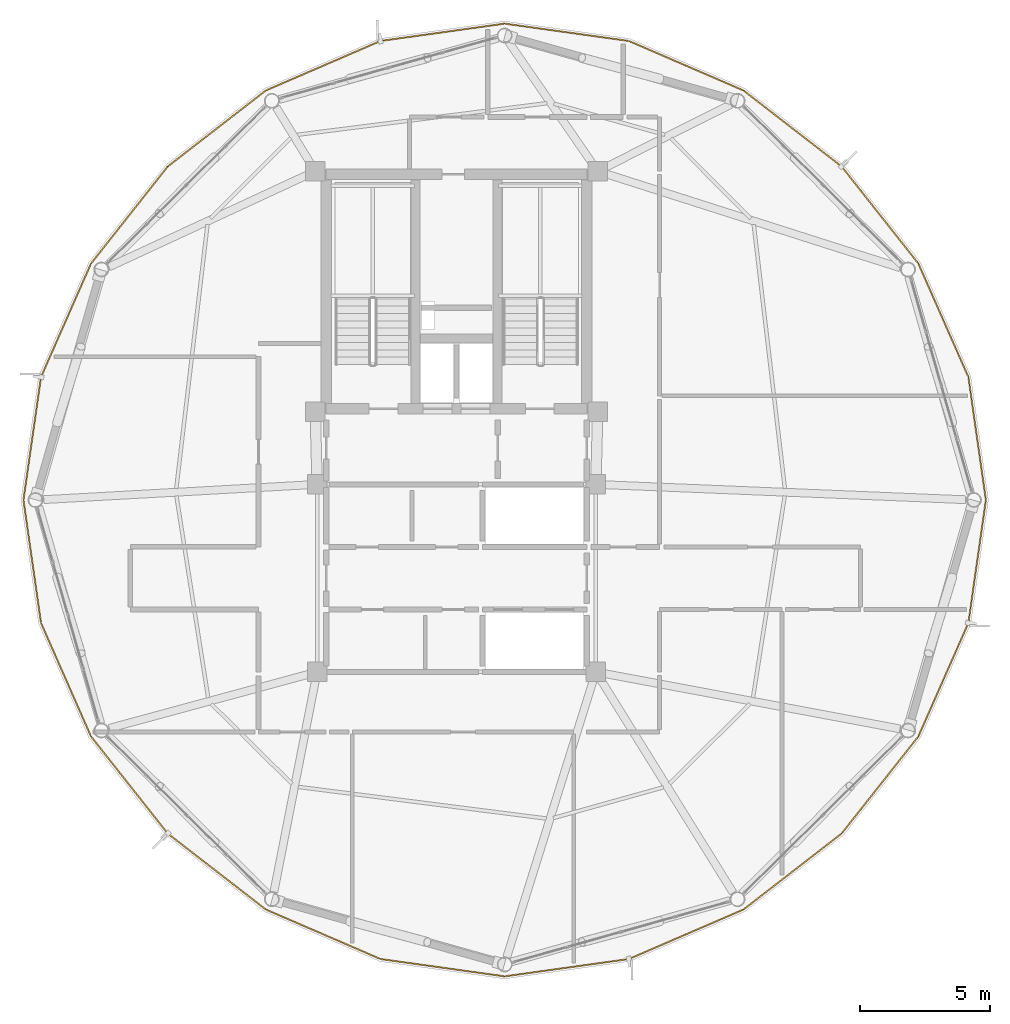
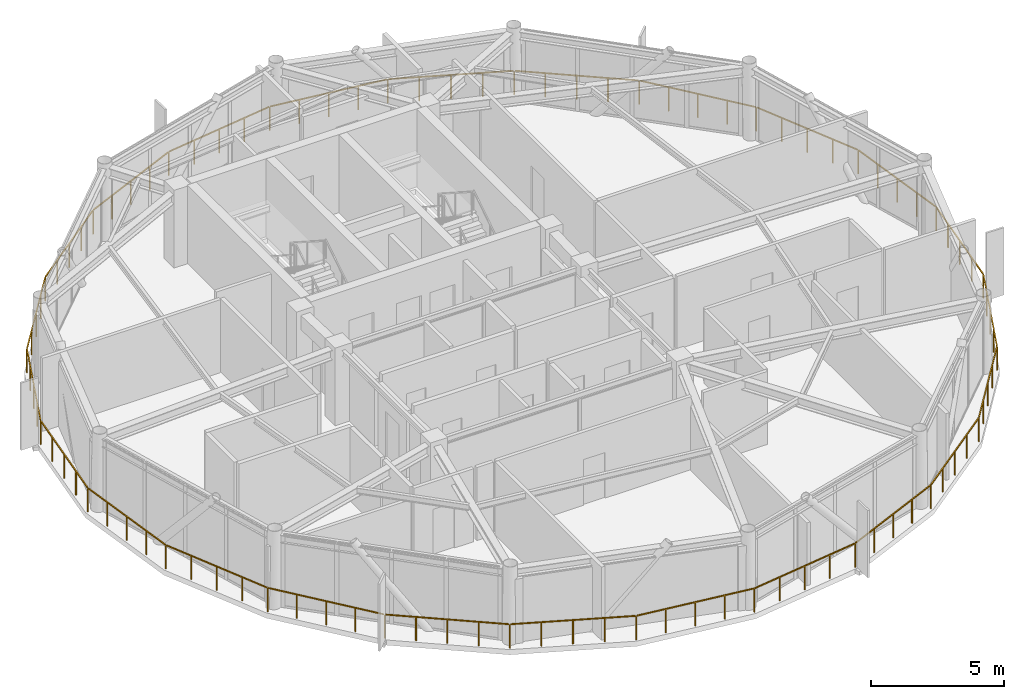
# One storey, part 23 of 24: 1 railing.
"""IFC4 building model written with IfcOpenShell, lengths in metres."""

import ifcopenshell
import ifcopenshell.guid

model = None  # the IFC model being written
_history = None  # IfcOwnerHistory: only IFC2X3 demands one
_inside = {}  # id of a spatial element -> (the spatial element, [elements in it])
_under = {}  # id of a project, library or spatial element -> (it, [spatial elements below it])
_declared = {}  # id of a project -> (the project, [libraries it declares])
_typed = {}  # id of a type object -> (the type object, [elements of that type])
_made_of = {}  # id of a material, layer set ... -> (it, [elements and type objects made of it])


def new_model(schema):
    """Start an empty IFC model of exactly this schema.

    Asked for "IFC4X3", IfcOpenShell would pick the latest addendum, in which some entities
    have other attributes; the version numbers below select the first issue.
    IFC2X3 requires an IfcOwnerHistory on every rooted entity: one is made here for all.
    """
    global model, _history
    if schema == "IFC4X3":
        model = ifcopenshell.file(schema_version=(4, 3, 0, 0))
    else:
        model = ifcopenshell.file(schema=schema)
    _inside.clear()
    _under.clear()
    _declared.clear()
    _typed.clear()
    _made_of.clear()
    _history = None
    if model.schema == "IFC2X3":
        org = make("IfcOrganization", Name="unknown")
        user = make(
            "IfcPersonAndOrganization",
            ThePerson=make("IfcPerson", FamilyName="unknown"),
            TheOrganization=org,
        )
        app = make(
            "IfcApplication",
            ApplicationDeveloper=org,
            Version="unknown",
            ApplicationFullName="unknown",
            ApplicationIdentifier="unknown",
        )
        _history = make(
            "IfcOwnerHistory",
            OwningUser=user,
            OwningApplication=app,
            ChangeAction="ADDED",
            CreationDate=0,
        )
    return model


def make(cls, **values):
    """One entity of the class cls with the attributes given. An attribute that is None is left unset."""
    return model.create_entity(
        cls, **{name: value for name, value in values.items() if value is not None}
    )


def rooted(cls, **values):
    """An entity with a GlobalId (a new one), such as an element, a storey or a relation."""
    return make(cls, GlobalId=ifcopenshell.guid.new(), OwnerHistory=_history, **values)


def si_unit(unit_type, name, prefix=None):
    """IfcSIUnit, for example si_unit("LENGTHUNIT", "METRE", prefix="MILLI")."""
    return make("IfcSIUnit", UnitType=unit_type, Prefix=prefix, Name=name)


def assignment(units):
    """IfcUnitAssignment: the units of a project."""
    return None if units is None else make("IfcUnitAssignment", Units=units)


def point(xyz):
    """IfcCartesianPoint."""
    return None if xyz is None else make("IfcCartesianPoint", Coordinates=xyz)


def direction(xyz):
    """IfcDirection."""
    return None if xyz is None else make("IfcDirection", DirectionRatios=xyz)


def frame(location, z_axis=None, x_axis=None):
    """IfcAxis2Placement3D, a coordinate frame: its origin and axes. An axis left out is left unset."""
    return make(
        "IfcAxis2Placement3D",
        Location=point(location),
        Axis=direction(z_axis),
        RefDirection=direction(x_axis),
    )


def frame_2d(location, x_axis=None):
    """IfcAxis2Placement2D, a coordinate frame in the plane: its origin and x axis."""
    return make(
        "IfcAxis2Placement2D", Location=point(location), RefDirection=direction(x_axis)
    )


def origin():
    """The frame at (0, 0, 0) with its axes left unset."""
    return frame((0.0, 0.0, 0.0))


def origin_2d():
    """The frame at (0, 0) in the plane with its x axis left unset."""
    return frame_2d((0.0, 0.0))


def place(relative_to, where):
    """IfcLocalPlacement: puts the frame where relative to a parent placement (None: the world)."""
    return make(
        "IfcLocalPlacement", PlacementRelTo=relative_to, RelativePlacement=where
    )


def context(
    kind, dimensions, precision=None, world=None, true_north=None, identifier=None
):
    """IfcGeometricRepresentationContext, for example the 3D "Model" context."""
    return make(
        "IfcGeometricRepresentationContext",
        ContextIdentifier=identifier,
        ContextType=kind,
        CoordinateSpaceDimension=dimensions,
        Precision=precision,
        WorldCoordinateSystem=world,
        TrueNorth=true_north,
    )


def subcontext(parent, identifier, kind, view, scale=None):
    """IfcGeometricRepresentationSubContext, for example "Body" below "Model"."""
    return make(
        "IfcGeometricRepresentationSubContext",
        ContextIdentifier=identifier,
        ContextType=kind,
        ParentContext=parent,
        TargetScale=scale,
        TargetView=view,
    )


def project(units=None, contexts=None):
    """IfcProject with its units and contexts."""
    return rooted(
        "IfcProject",
        Name="project",
        RepresentationContexts=contexts,
        UnitsInContext=assignment(units),
    )


def spatial(cls, under=None, at=None, **own):
    """A site, building, storey or space (cls), placed at a placement, below another one or the project."""
    s = rooted(cls, ObjectPlacement=at, **own)
    if under is not None:
        _under.setdefault(under.id(), (under, []))[1].append(s)
    return s


def profile(cls, at=None, kind="AREA", **sizes):
    """A parametric profile (cls). Its sizes go by their IFC names, for example OverallWidth=200.0."""
    return make(cls, ProfileType=kind, Position=at, **sizes)


def rectangle(**sizes):
    """IfcRectangleProfileDef."""
    return profile("IfcRectangleProfileDef", **sizes)


def extrude(swept, where, along, depth):
    """IfcExtrudedAreaSolid: the profile swept, set in the frame where, extruded along a direction by depth."""
    return make(
        "IfcExtrudedAreaSolid",
        SweptArea=swept,
        Position=where,
        ExtrudedDirection=direction(along),
        Depth=depth,
    )


def shape(context_of_items, identifier, shape_type, items):
    """IfcShapeRepresentation: the items that make up one representation, for example the "Body"."""
    return make(
        "IfcShapeRepresentation",
        ContextOfItems=context_of_items,
        RepresentationIdentifier=identifier,
        RepresentationType=shape_type,
        Items=items,
    )


def material(Name=None, Category=None):
    """IfcMaterial."""
    return make("IfcMaterial", Name=Name, Category=Category)


def made_of(thing, what):
    """Note that an element or type object is made of a material, layer set ...; save() writes the relation."""
    if what is not None:
        _made_of.setdefault(what.id(), (what, []))[1].append(thing)
    return thing


def type_object(cls, material=None, **own):
    """A type object (cls), such as IfcWallType, which elements share."""
    return made_of(rooted(cls, **own), material)


def element(
    cls,
    number,
    at=None,
    inside=None,
    cuts=None,
    type_object=None,
    material=None,
    context=None,
    identifier="Body",
    shape_type=None,
    held_by="IfcProductDefinitionShape",
    body=None,
    shapes=None,
    **own,
):
    """One element of the class cls, such as IfcWall. Its Tag is "e" and its number.

    at: its placement. inside: the storey or other place that contains it. cuts: it is an
    opening in that element (IfcRelVoidsElement). A single representation is given by context,
    identifier, shape_type and body (its items); several are given by shapes. held_by: the class
    of the entity that holds the representations. save() writes the other relations.
    """
    e = rooted(cls, Tag="e%d" % number, ObjectPlacement=at, **own)
    if body is not None:
        shapes = [shape(context, identifier, shape_type, body)]
    if shapes is not None:
        e.Representation = make(held_by, Representations=shapes)
    if inside is not None:
        _inside.setdefault(inside.id(), (inside, []))[1].append(e)
    if cuts is not None:
        rooted(
            "IfcRelVoidsElement", RelatingBuildingElement=cuts, RelatedOpeningElement=e
        )
    if type_object is not None:
        _typed.setdefault(type_object.id(), (type_object, []))[1].append(e)
    return made_of(e, material)


def aggregate(whole, parts):
    """IfcRelAggregates: a whole, such as a stair, and the parts it consists of."""
    return rooted("IfcRelAggregates", RelatingObject=whole, RelatedObjects=parts)


def save(model, path):
    """Write the relations noted so far, then the file.

    IfcRelAggregates (storeys below a building ...), IfcRelContainedInSpatialStructure (elements
    in a storey), IfcRelDefinesByType, IfcRelAssociatesMaterial and IfcRelDeclares: one each for
    every whole, place, type object, material and project.
    """
    for whole, parts in _under.values():
        aggregate(whole, parts)
    for where, things in _inside.values():
        rooted(
            "IfcRelContainedInSpatialStructure",
            RelatedElements=things,
            RelatingStructure=where,
        )
    for kind, things in _typed.values():
        rooted("IfcRelDefinesByType", RelatedObjects=things, RelatingType=kind)
    for what, things in _made_of.values():
        rooted("IfcRelAssociatesMaterial", RelatedObjects=things, RelatingMaterial=what)
    for by, libraries in _declared.values():
        rooted("IfcRelDeclares", RelatingContext=by, RelatedDefinitions=libraries)
    model.write(path)


model = new_model("IFC4")

# Units and contexts
model_context = context("Model", 3, precision=1e-05, world=origin(), true_north=direction((0.0, 1.0)))
body_context = subcontext(model_context, "Body", "Model", "MODEL_VIEW")
ifc_project = project(units=[si_unit("LENGTHUNIT", "METRE"), si_unit("AREAUNIT", "SQUARE_METRE"), si_unit("VOLUMEUNIT", "CUBIC_METRE"), si_unit("PLANEANGLEUNIT", "RADIAN"), si_unit("MASSUNIT", "GRAM", prefix="KILO")], contexts=[model_context])

# Site, building, storey
site_placement = place(None, origin())
site = spatial("IfcSite", under=ifc_project, at=site_placement, CompositionType="ELEMENT")
building_placement = place(site_placement, origin())
building = spatial("IfcBuilding", under=site, at=building_placement, Name="Varnakorn Sky Granary", CompositionType="ELEMENT")
storey_placement = place(building_placement, frame((0.0, 0.0, 274.199951171875)))
storey = spatial("IfcBuildingStorey", under=building, at=storey_placement, Name="L70", CompositionType="ELEMENT", Elevation=274.199951171875)

# Railing
ifc_material = material(Name="Anodised Bronze Aluminium Alloy 6063-T6", Category="aluminium")
railing_type = type_object("IfcRailingType", Name="RL-BAL-1120", PredefinedType="BALUSTRADE", material=ifc_material)
railing_placement = place(storey_placement, frame((23.320068359375, 0.0, 0.0)))
element("IfcRailing", 1, at=railing_placement, inside=storey, type_object=railing_type, Name="Perimeter Slab-Edge Safety Guard L70", PredefinedType="BALUSTRADE", context=body_context, shape_type="SweptSolid", body=[
    extrude(rectangle(XDim=0.048095703125, YDim=0.048095703125, at=origin_2d()), frame((-0.00390625, -0.02783203125, 1.09619140625), z_axis=(-0.141055646763, -0.990001668946, 0.0), x_axis=(0.990001668946, -0.141055646763, 0.0)), (0.0, 0.0, 1.0), 4.710693359375),
    extrude(rectangle(XDim=0.048095703125, YDim=0.048095703125, at=origin_2d()), frame((-0.68359375, -4.74462890625, 1.09619140625), z_axis=(-0.403170194464, -0.915125015665, 0.0), x_axis=(0.915125015665, -0.403170194464, 0.0)), (0.0, 0.0, 1.0), 4.701904296875),
    extrude(rectangle(XDim=0.048095703125, YDim=0.048095703125, at=origin_2d()), frame((-2.60791015625, -9.094970703125, 1.09619140625), z_axis=(-0.619990729763, -0.78460913518, 0.0), x_axis=(0.78460913518, -0.619990729763, 0.0)), (0.0, 0.0, 1.0), 4.69580078125),
    extrude(rectangle(XDim=0.048095703125, YDim=0.048095703125, at=origin_2d()), frame((-5.558837890625, -12.818359375, 1.09619140625), z_axis=(-0.79063087469, -0.612293083406, 0.0), x_axis=(0.612293083406, -0.79063087469, 0.0)), (0.0, 0.0, 1.0), 4.7080078125),
    extrude(rectangle(XDim=0.048095703125, YDim=0.048095703125, at=origin_2d()), frame((-9.328857421875, -15.729248046875, 1.09619140625), z_axis=(-0.918061089218, -0.396438944181, 0.0), x_axis=(0.396438944181, -0.918061089218, 0.0)), (0.0, 0.0, 1.0), 4.73583984375),
    extrude(rectangle(XDim=0.048095703125, YDim=0.048095703125, at=origin_2d()), frame((-13.730224609375, -17.621826171875, 1.09619140625), z_axis=(-0.990382928336, -0.13835337098, 0.0), x_axis=(0.13835337098, -0.990382928336, 0.0)), (0.0, 0.0, 1.0), 4.7578125),
    extrude(rectangle(XDim=0.048095703125, YDim=0.048095703125, at=origin_2d()), frame((-18.497802734375, -18.280029296875, 1.09619140625), z_axis=(-0.990383899051, 0.13834642207, 0.0), x_axis=(-0.13834642207, -0.990383899051, 0.0)), (0.0, 0.0, 1.0), 4.758056640625),
    extrude(rectangle(XDim=0.048095703125, YDim=0.048095703125, at=origin_2d()), frame((-23.263427734375, -17.60693359375, 1.09619140625), z_axis=(-0.918061089218, 0.396438944181, 0.0), x_axis=(-0.396438944181, -0.918061089218, 0.0)), (0.0, 0.0, 1.0), 4.73583984375),
    extrude(rectangle(XDim=0.048095703125, YDim=0.048095703125, at=origin_2d()), frame((-27.6591796875, -15.701171875, 1.09619140625), z_axis=(-0.79063087469, 0.612293083406, 0.0), x_axis=(-0.612293083406, -0.79063087469, 0.0)), (0.0, 0.0, 1.0), 4.7080078125),
    extrude(rectangle(XDim=0.048095703125, YDim=0.048095703125, at=origin_2d()), frame((-31.4208984375, -12.779296875, 1.09619140625), z_axis=(-0.619990729763, 0.78460913518, 0.0), x_axis=(-0.78460913518, -0.619990729763, 0.0)), (0.0, 0.0, 1.0), 4.69580078125),
    extrude(rectangle(XDim=0.048095703125, YDim=0.048095703125, at=origin_2d()), frame((-34.36083984375, -9.04736328125, 1.09619140625), z_axis=(-0.403127220443, 0.915143947222, 0.0), x_axis=(-0.915143947222, -0.403127220443, 0.0)), (0.0, 0.0, 1.0), 4.70166015625),
    extrude(rectangle(XDim=0.048095703125, YDim=0.048095703125, at=origin_2d()), frame((-36.271484375, -4.691162109375, 1.09619140625), z_axis=(-0.141105845603, 0.989994515306, 0.0), x_axis=(-0.989994515306, -0.141105845603, 0.0)), (0.0, 0.0, 1.0), 4.710693359375),
    extrude(rectangle(XDim=0.048095703125, YDim=0.048095703125, at=origin_2d()), frame((-36.936279296875, 0.02783203125, 1.09619140625), z_axis=(0.141105845603, 0.989994515306, 0.0), x_axis=(-0.989994515306, 0.141105845603, 0.0)), (0.0, 0.0, 1.0), 4.710693359375),
    extrude(rectangle(XDim=0.048095703125, YDim=0.048095703125, at=origin_2d()), frame((-36.25634765625, 4.74462890625, 1.09619140625), z_axis=(0.403127220443, 0.915143947222, 0.0), x_axis=(-0.915143947222, 0.403127220443, 0.0)), (0.0, 0.0, 1.0), 4.70166015625),
    extrude(rectangle(XDim=0.048095703125, YDim=0.048095703125, at=origin_2d()), frame((-34.332275390625, 9.094970703125, 1.09619140625), z_axis=(0.619990729763, 0.78460913518, 0.0), x_axis=(-0.78460913518, 0.619990729763, 0.0)), (0.0, 0.0, 1.0), 4.69580078125),
    extrude(rectangle(XDim=0.048095703125, YDim=0.048095703125, at=origin_2d()), frame((-31.38134765625, 12.818359375, 1.09619140625), z_axis=(0.79063087469, 0.612293083406, 0.0), x_axis=(-0.612293083406, 0.79063087469, 0.0)), (0.0, 0.0, 1.0), 4.7080078125),
    extrude(rectangle(XDim=0.048095703125, YDim=0.048095703125, at=origin_2d()), frame((-27.611328125, 15.729248046875, 1.09619140625), z_axis=(0.918061089218, 0.396438944181, 0.0), x_axis=(-0.396438944181, 0.918061089218, 0.0)), (0.0, 0.0, 1.0), 4.73583984375),
    extrude(rectangle(XDim=0.048095703125, YDim=0.048095703125, at=origin_2d()), frame((-23.2099609375, 17.621826171875, 1.09619140625), z_axis=(0.990383899051, 0.13834642207, 0.0), x_axis=(-0.13834642207, 0.990383899051, 0.0)), (0.0, 0.0, 1.0), 4.758056640625),
    extrude(rectangle(XDim=0.048095703125, YDim=0.048095703125, at=origin_2d()), frame((-18.442138671875, 18.280029296875, 1.09619140625), z_axis=(0.990382928336, -0.13835337098, 0.0), x_axis=(0.13835337098, 0.990382928336, 0.0)), (0.0, 0.0, 1.0), 4.7578125),
    extrude(rectangle(XDim=0.048095703125, YDim=0.048095703125, at=origin_2d()), frame((-13.6767578125, 17.60693359375, 1.09619140625), z_axis=(0.918061089218, -0.396438944181, 0.0), x_axis=(0.396438944181, 0.918061089218, 0.0)), (0.0, 0.0, 1.0), 4.73583984375),
    extrude(rectangle(XDim=0.048095703125, YDim=0.048095703125, at=origin_2d()), frame((-9.281005859375, 15.701171875, 1.09619140625), z_axis=(0.79063087469, -0.612293083406, 0.0), x_axis=(0.612293083406, 0.79063087469, 0.0)), (0.0, 0.0, 1.0), 4.7080078125),
    extrude(rectangle(XDim=0.048095703125, YDim=0.048095703125, at=origin_2d()), frame((-5.519287109375, 12.779296875, 1.09619140625), z_axis=(0.619990729763, -0.78460913518, 0.0), x_axis=(0.78460913518, 0.619990729763, 0.0)), (0.0, 0.0, 1.0), 4.69580078125),
    extrude(rectangle(XDim=0.048095703125, YDim=0.048095703125, at=origin_2d()), frame((-2.579345703125, 9.04736328125, 1.09619140625), z_axis=(0.403170194464, -0.915125015665, 0.0), x_axis=(0.915125015665, 0.403170194464, 0.0)), (0.0, 0.0, 1.0), 4.701904296875),
    extrude(rectangle(XDim=0.048095703125, YDim=0.048095703125, at=origin_2d()), frame((-0.66845703125, 4.691162109375, 1.09619140625), z_axis=(0.141055646763, -0.990001668946, 0.0), x_axis=(0.990001668946, 0.141055646763, 0.0)), (0.0, 0.0, 1.0), 4.710693359375),
    extrude(rectangle(XDim=0.0419921875, YDim=0.0419921875, at=origin_2d()), origin(), (0.0, 0.0, 1.0), 1.068115234375),
    extrude(rectangle(XDim=0.0419921875, YDim=0.0419921875, at=origin_2d()), frame((-0.16796875, -1.1796875, 0.0)), (0.0, 0.0, 1.0), 1.068115234375),
    extrude(rectangle(XDim=0.0419921875, YDim=0.0419921875, at=origin_2d()), frame((-0.336181640625, -2.359375, 0.0)), (0.0, 0.0, 1.0), 1.068115234375),
    extrude(rectangle(XDim=0.0419921875, YDim=0.0419921875, at=origin_2d()), frame((-0.50439453125, -3.539306640625, 0.0)), (0.0, 0.0, 1.0), 1.068115234375),
    extrude(rectangle(XDim=0.0419921875, YDim=0.0419921875, at=origin_2d()), frame((-0.67236328125, -4.718994140625, 0.0)), (0.0, 0.0, 1.0), 1.068115234375),
    extrude(rectangle(XDim=0.0419921875, YDim=0.0419921875, at=origin_2d()), frame((-1.15185546875, -5.8076171875, 0.0)), (0.0, 0.0, 1.0), 1.068115234375),
    extrude(rectangle(XDim=0.0419921875, YDim=0.0419921875, at=origin_2d()), frame((-1.63134765625, -6.89599609375, 0.0)), (0.0, 0.0, 1.0), 1.068115234375),
    extrude(rectangle(XDim=0.0419921875, YDim=0.0419921875, at=origin_2d()), frame((-2.111083984375, -7.984375, 0.0)), (0.0, 0.0, 1.0), 1.068115234375),
    extrude(rectangle(XDim=0.0419921875, YDim=0.0419921875, at=origin_2d()), frame((-2.590576171875, -9.072998046875, 0.0)), (0.0, 0.0, 1.0), 1.068115234375),
    extrude(rectangle(XDim=0.0419921875, YDim=0.0419921875, at=origin_2d()), frame((-3.3271484375, -10.005126953125, 0.0)), (0.0, 0.0, 1.0), 1.068115234375),
    extrude(rectangle(XDim=0.0419921875, YDim=0.0419921875, at=origin_2d()), frame((-4.0634765625, -10.93701171875, 0.0)), (0.0, 0.0, 1.0), 1.068115234375),
    extrude(rectangle(XDim=0.0419921875, YDim=0.0419921875, at=origin_2d()), frame((-4.800048828125, -11.869140625, 0.0)), (0.0, 0.0, 1.0), 1.068115234375),
    extrude(rectangle(XDim=0.0419921875, YDim=0.0419921875, at=origin_2d()), frame((-5.53662109375, -12.80126953125, 0.0)), (0.0, 0.0, 1.0), 1.068115234375),
    extrude(rectangle(XDim=0.0419921875, YDim=0.0419921875, at=origin_2d()), frame((-6.478271484375, -13.530517578125, 0.0)), (0.0, 0.0, 1.0), 1.068115234375),
    extrude(rectangle(XDim=0.0419921875, YDim=0.0419921875, at=origin_2d()), frame((-7.419921875, -14.259765625, 0.0)), (0.0, 0.0, 1.0), 1.068115234375),
    extrude(rectangle(XDim=0.0419921875, YDim=0.0419921875, at=origin_2d()), frame((-8.361572265625, -14.989013671875, 0.0)), (0.0, 0.0, 1.0), 1.068115234375),
    extrude(rectangle(XDim=0.0419921875, YDim=0.0419921875, at=origin_2d()), frame((-9.30322265625, -15.71826171875, 0.0)), (0.0, 0.0, 1.0), 1.068115234375),
    extrude(rectangle(XDim=0.0419921875, YDim=0.0419921875, at=origin_2d()), frame((-10.403076171875, -16.193115234375, 0.0)), (0.0, 0.0, 1.0), 1.068115234375),
    extrude(rectangle(XDim=0.0419921875, YDim=0.0419921875, at=origin_2d()), frame((-11.5029296875, -16.66796875, 0.0)), (0.0, 0.0, 1.0), 1.068115234375),
    extrude(rectangle(XDim=0.0419921875, YDim=0.0419921875, at=origin_2d()), frame((-12.6025390625, -17.14306640625, 0.0)), (0.0, 0.0, 1.0), 1.068115234375),
    extrude(rectangle(XDim=0.0419921875, YDim=0.0419921875, at=origin_2d()), frame((-13.702392578125, -17.617919921875, 0.0)), (0.0, 0.0, 1.0), 1.068115234375),
    extrude(rectangle(XDim=0.0419921875, YDim=0.0419921875, at=origin_2d()), frame((-14.894287109375, -17.784423828125, 0.0)), (0.0, 0.0, 1.0), 1.068115234375),
    extrude(rectangle(XDim=0.0419921875, YDim=0.0419921875, at=origin_2d()), frame((-16.086181640625, -17.950927734375, 0.0)), (0.0, 0.0, 1.0), 1.068115234375),
    extrude(rectangle(XDim=0.0419921875, YDim=0.0419921875, at=origin_2d()), frame((-17.278076171875, -18.117431640625, 0.0)), (0.0, 0.0, 1.0), 1.068115234375),
    extrude(rectangle(XDim=0.0419921875, YDim=0.0419921875, at=origin_2d()), frame((-18.469970703125, -18.283935546875, 0.0)), (0.0, 0.0, 1.0), 1.068115234375),
    extrude(rectangle(XDim=0.0419921875, YDim=0.0419921875, at=origin_2d()), frame((-19.661865234375, -18.117431640625, 0.0)), (0.0, 0.0, 1.0), 1.068115234375),
    extrude(rectangle(XDim=0.0419921875, YDim=0.0419921875, at=origin_2d()), frame((-20.85400390625, -17.950927734375, 0.0)), (0.0, 0.0, 1.0), 1.068115234375),
    extrude(rectangle(XDim=0.0419921875, YDim=0.0419921875, at=origin_2d()), frame((-22.0458984375, -17.784423828125, 0.0)), (0.0, 0.0, 1.0), 1.068115234375),
    extrude(rectangle(XDim=0.0419921875, YDim=0.0419921875, at=origin_2d()), frame((-23.23779296875, -17.617919921875, 0.0)), (0.0, 0.0, 1.0), 1.068115234375),
    extrude(rectangle(XDim=0.0419921875, YDim=0.0419921875, at=origin_2d()), frame((-24.337646484375, -17.14306640625, 0.0)), (0.0, 0.0, 1.0), 1.068115234375),
    extrude(rectangle(XDim=0.0419921875, YDim=0.0419921875, at=origin_2d()), frame((-25.4375, -16.66796875, 0.0)), (0.0, 0.0, 1.0), 1.068115234375),
    extrude(rectangle(XDim=0.0419921875, YDim=0.0419921875, at=origin_2d()), frame((-26.537109375, -16.193115234375, 0.0)), (0.0, 0.0, 1.0), 1.068115234375),
    extrude(rectangle(XDim=0.0419921875, YDim=0.0419921875, at=origin_2d()), frame((-27.636962890625, -15.71826171875, 0.0)), (0.0, 0.0, 1.0), 1.068115234375),
    extrude(rectangle(XDim=0.0419921875, YDim=0.0419921875, at=origin_2d()), frame((-28.57861328125, -14.989013671875, 0.0)), (0.0, 0.0, 1.0), 1.068115234375),
    extrude(rectangle(XDim=0.0419921875, YDim=0.0419921875, at=origin_2d()), frame((-29.520263671875, -14.259765625, 0.0)), (0.0, 0.0, 1.0), 1.068115234375),
    extrude(rectangle(XDim=0.0419921875, YDim=0.0419921875, at=origin_2d()), frame((-30.4619140625, -13.530517578125, 0.0)), (0.0, 0.0, 1.0), 1.068115234375),
    extrude(rectangle(XDim=0.0419921875, YDim=0.0419921875, at=origin_2d()), frame((-31.403564453125, -12.80126953125, 0.0)), (0.0, 0.0, 1.0), 1.068115234375),
    extrude(rectangle(XDim=0.0419921875, YDim=0.0419921875, at=origin_2d()), frame((-32.14013671875, -11.869140625, 0.0)), (0.0, 0.0, 1.0), 1.068115234375),
    extrude(rectangle(XDim=0.0419921875, YDim=0.0419921875, at=origin_2d()), frame((-32.87646484375, -10.93701171875, 0.0)), (0.0, 0.0, 1.0), 1.068115234375),
    extrude(rectangle(XDim=0.0419921875, YDim=0.0419921875, at=origin_2d()), frame((-33.613037109375, -10.005126953125, 0.0)), (0.0, 0.0, 1.0), 1.068115234375),
    extrude(rectangle(XDim=0.0419921875, YDim=0.0419921875, at=origin_2d()), frame((-34.349609375, -9.072998046875, 0.0)), (0.0, 0.0, 1.0), 1.068115234375),
    extrude(rectangle(XDim=0.0419921875, YDim=0.0419921875, at=origin_2d()), frame((-34.8291015625, -7.984375, 0.0)), (0.0, 0.0, 1.0), 1.068115234375),
    extrude(rectangle(XDim=0.0419921875, YDim=0.0419921875, at=origin_2d()), frame((-35.30859375, -6.89599609375, 0.0)), (0.0, 0.0, 1.0), 1.068115234375),
    extrude(rectangle(XDim=0.0419921875, YDim=0.0419921875, at=origin_2d()), frame((-35.7880859375, -5.8076171875, 0.0)), (0.0, 0.0, 1.0), 1.068115234375),
    extrude(rectangle(XDim=0.0419921875, YDim=0.0419921875, at=origin_2d()), frame((-36.267578125, -4.718994140625, 0.0)), (0.0, 0.0, 1.0), 1.068115234375),
    extrude(rectangle(XDim=0.0419921875, YDim=0.0419921875, at=origin_2d()), frame((-36.435791015625, -3.539306640625, 0.0)), (0.0, 0.0, 1.0), 1.068115234375),
    extrude(rectangle(XDim=0.0419921875, YDim=0.0419921875, at=origin_2d()), frame((-36.60400390625, -2.359375, 0.0)), (0.0, 0.0, 1.0), 1.068115234375),
    extrude(rectangle(XDim=0.0419921875, YDim=0.0419921875, at=origin_2d()), frame((-36.77197265625, -1.1796875, 0.0)), (0.0, 0.0, 1.0), 1.068115234375),
    extrude(rectangle(XDim=0.0419921875, YDim=0.0419921875, at=origin_2d()), frame((-36.940185546875, 0.0, 0.0)), (0.0, 0.0, 1.0), 1.068115234375),
    extrude(rectangle(XDim=0.0419921875, YDim=0.0419921875, at=origin_2d()), frame((-36.77197265625, 1.1796875, 0.0)), (0.0, 0.0, 1.0), 1.068115234375),
    extrude(rectangle(XDim=0.0419921875, YDim=0.0419921875, at=origin_2d()), frame((-36.60400390625, 2.359375, 0.0)), (0.0, 0.0, 1.0), 1.068115234375),
    extrude(rectangle(XDim=0.0419921875, YDim=0.0419921875, at=origin_2d()), frame((-36.435791015625, 3.539306640625, 0.0)), (0.0, 0.0, 1.0), 1.068115234375),
    extrude(rectangle(XDim=0.0419921875, YDim=0.0419921875, at=origin_2d()), frame((-36.267578125, 4.718994140625, 0.0)), (0.0, 0.0, 1.0), 1.068115234375),
    extrude(rectangle(XDim=0.0419921875, YDim=0.0419921875, at=origin_2d()), frame((-35.7880859375, 5.8076171875, 0.0)), (0.0, 0.0, 1.0), 1.068115234375),
    extrude(rectangle(XDim=0.0419921875, YDim=0.0419921875, at=origin_2d()), frame((-35.30859375, 6.89599609375, 0.0)), (0.0, 0.0, 1.0), 1.068115234375),
    extrude(rectangle(XDim=0.0419921875, YDim=0.0419921875, at=origin_2d()), frame((-34.8291015625, 7.984375, 0.0)), (0.0, 0.0, 1.0), 1.068115234375),
    extrude(rectangle(XDim=0.0419921875, YDim=0.0419921875, at=origin_2d()), frame((-34.349609375, 9.072998046875, 0.0)), (0.0, 0.0, 1.0), 1.068115234375),
    extrude(rectangle(XDim=0.0419921875, YDim=0.0419921875, at=origin_2d()), frame((-33.613037109375, 10.005126953125, 0.0)), (0.0, 0.0, 1.0), 1.068115234375),
    extrude(rectangle(XDim=0.0419921875, YDim=0.0419921875, at=origin_2d()), frame((-32.87646484375, 10.93701171875, 0.0)), (0.0, 0.0, 1.0), 1.068115234375),
    extrude(rectangle(XDim=0.0419921875, YDim=0.0419921875, at=origin_2d()), frame((-32.14013671875, 11.869140625, 0.0)), (0.0, 0.0, 1.0), 1.068115234375),
    extrude(rectangle(XDim=0.0419921875, YDim=0.0419921875, at=origin_2d()), frame((-31.403564453125, 12.80126953125, 0.0)), (0.0, 0.0, 1.0), 1.068115234375),
    extrude(rectangle(XDim=0.0419921875, YDim=0.0419921875, at=origin_2d()), frame((-30.4619140625, 13.530517578125, 0.0)), (0.0, 0.0, 1.0), 1.068115234375),
    extrude(rectangle(XDim=0.0419921875, YDim=0.0419921875, at=origin_2d()), frame((-29.520263671875, 14.259765625, 0.0)), (0.0, 0.0, 1.0), 1.068115234375),
    extrude(rectangle(XDim=0.0419921875, YDim=0.0419921875, at=origin_2d()), frame((-28.57861328125, 14.989013671875, 0.0)), (0.0, 0.0, 1.0), 1.068115234375),
    extrude(rectangle(XDim=0.0419921875, YDim=0.0419921875, at=origin_2d()), frame((-27.636962890625, 15.71826171875, 0.0)), (0.0, 0.0, 1.0), 1.068115234375),
    extrude(rectangle(XDim=0.0419921875, YDim=0.0419921875, at=origin_2d()), frame((-26.537109375, 16.193115234375, 0.0)), (0.0, 0.0, 1.0), 1.068115234375),
    extrude(rectangle(XDim=0.0419921875, YDim=0.0419921875, at=origin_2d()), frame((-25.4375, 16.66796875, 0.0)), (0.0, 0.0, 1.0), 1.068115234375),
    extrude(rectangle(XDim=0.0419921875, YDim=0.0419921875, at=origin_2d()), frame((-24.337646484375, 17.14306640625, 0.0)), (0.0, 0.0, 1.0), 1.068115234375),
    extrude(rectangle(XDim=0.0419921875, YDim=0.0419921875, at=origin_2d()), frame((-23.23779296875, 17.617919921875, 0.0)), (0.0, 0.0, 1.0), 1.068115234375),
    extrude(rectangle(XDim=0.0419921875, YDim=0.0419921875, at=origin_2d()), frame((-22.0458984375, 17.784423828125, 0.0)), (0.0, 0.0, 1.0), 1.068115234375),
    extrude(rectangle(XDim=0.0419921875, YDim=0.0419921875, at=origin_2d()), frame((-20.85400390625, 17.950927734375, 0.0)), (0.0, 0.0, 1.0), 1.068115234375),
    extrude(rectangle(XDim=0.0419921875, YDim=0.0419921875, at=origin_2d()), frame((-19.661865234375, 18.117431640625, 0.0)), (0.0, 0.0, 1.0), 1.068115234375),
    extrude(rectangle(XDim=0.0419921875, YDim=0.0419921875, at=origin_2d()), frame((-18.469970703125, 18.283935546875, 0.0)), (0.0, 0.0, 1.0), 1.068115234375),
    extrude(rectangle(XDim=0.0419921875, YDim=0.0419921875, at=origin_2d()), frame((-17.278076171875, 18.117431640625, 0.0)), (0.0, 0.0, 1.0), 1.068115234375),
    extrude(rectangle(XDim=0.0419921875, YDim=0.0419921875, at=origin_2d()), frame((-16.086181640625, 17.950927734375, 0.0)), (0.0, 0.0, 1.0), 1.068115234375),
    extrude(rectangle(XDim=0.0419921875, YDim=0.0419921875, at=origin_2d()), frame((-14.894287109375, 17.784423828125, 0.0)), (0.0, 0.0, 1.0), 1.068115234375),
    extrude(rectangle(XDim=0.0419921875, YDim=0.0419921875, at=origin_2d()), frame((-13.702392578125, 17.617919921875, 0.0)), (0.0, 0.0, 1.0), 1.068115234375),
    extrude(rectangle(XDim=0.0419921875, YDim=0.0419921875, at=origin_2d()), frame((-12.6025390625, 17.14306640625, 0.0)), (0.0, 0.0, 1.0), 1.068115234375),
    extrude(rectangle(XDim=0.0419921875, YDim=0.0419921875, at=origin_2d()), frame((-11.5029296875, 16.66796875, 0.0)), (0.0, 0.0, 1.0), 1.068115234375),
    extrude(rectangle(XDim=0.0419921875, YDim=0.0419921875, at=origin_2d()), frame((-10.403076171875, 16.193115234375, 0.0)), (0.0, 0.0, 1.0), 1.068115234375),
    extrude(rectangle(XDim=0.0419921875, YDim=0.0419921875, at=origin_2d()), frame((-9.30322265625, 15.71826171875, 0.0)), (0.0, 0.0, 1.0), 1.068115234375),
    extrude(rectangle(XDim=0.0419921875, YDim=0.0419921875, at=origin_2d()), frame((-8.361572265625, 14.989013671875, 0.0)), (0.0, 0.0, 1.0), 1.068115234375),
    extrude(rectangle(XDim=0.0419921875, YDim=0.0419921875, at=origin_2d()), frame((-7.419921875, 14.259765625, 0.0)), (0.0, 0.0, 1.0), 1.068115234375),
    extrude(rectangle(XDim=0.0419921875, YDim=0.0419921875, at=origin_2d()), frame((-6.478271484375, 13.530517578125, 0.0)), (0.0, 0.0, 1.0), 1.068115234375),
    extrude(rectangle(XDim=0.0419921875, YDim=0.0419921875, at=origin_2d()), frame((-5.53662109375, 12.80126953125, 0.0)), (0.0, 0.0, 1.0), 1.068115234375),
    extrude(rectangle(XDim=0.0419921875, YDim=0.0419921875, at=origin_2d()), frame((-4.800048828125, 11.869140625, 0.0)), (0.0, 0.0, 1.0), 1.068115234375),
    extrude(rectangle(XDim=0.0419921875, YDim=0.0419921875, at=origin_2d()), frame((-4.0634765625, 10.93701171875, 0.0)), (0.0, 0.0, 1.0), 1.068115234375),
    extrude(rectangle(XDim=0.0419921875, YDim=0.0419921875, at=origin_2d()), frame((-3.3271484375, 10.005126953125, 0.0)), (0.0, 0.0, 1.0), 1.068115234375),
    extrude(rectangle(XDim=0.0419921875, YDim=0.0419921875, at=origin_2d()), frame((-2.590576171875, 9.072998046875, 0.0)), (0.0, 0.0, 1.0), 1.068115234375),
    extrude(rectangle(XDim=0.0419921875, YDim=0.0419921875, at=origin_2d()), frame((-2.111083984375, 7.984375, 0.0)), (0.0, 0.0, 1.0), 1.068115234375),
    extrude(rectangle(XDim=0.0419921875, YDim=0.0419921875, at=origin_2d()), frame((-1.63134765625, 6.89599609375, 0.0)), (0.0, 0.0, 1.0), 1.068115234375),
    extrude(rectangle(XDim=0.0419921875, YDim=0.0419921875, at=origin_2d()), frame((-1.15185546875, 5.8076171875, 0.0)), (0.0, 0.0, 1.0), 1.068115234375),
    extrude(rectangle(XDim=0.0419921875, YDim=0.0419921875, at=origin_2d()), frame((-0.67236328125, 4.718994140625, 0.0)), (0.0, 0.0, 1.0), 1.068115234375),
    extrude(rectangle(XDim=0.0419921875, YDim=0.0419921875, at=origin_2d()), frame((-0.50439453125, 3.539306640625, 0.0)), (0.0, 0.0, 1.0), 1.068115234375),
    extrude(rectangle(XDim=0.0419921875, YDim=0.0419921875, at=origin_2d()), frame((-0.336181640625, 2.359375, 0.0)), (0.0, 0.0, 1.0), 1.068115234375),
    extrude(rectangle(XDim=0.0419921875, YDim=0.0419921875, at=origin_2d()), frame((-0.16796875, 1.1796875, 0.0)), (0.0, 0.0, 1.0), 1.068115234375),
])

save(model, "model.ifc")
